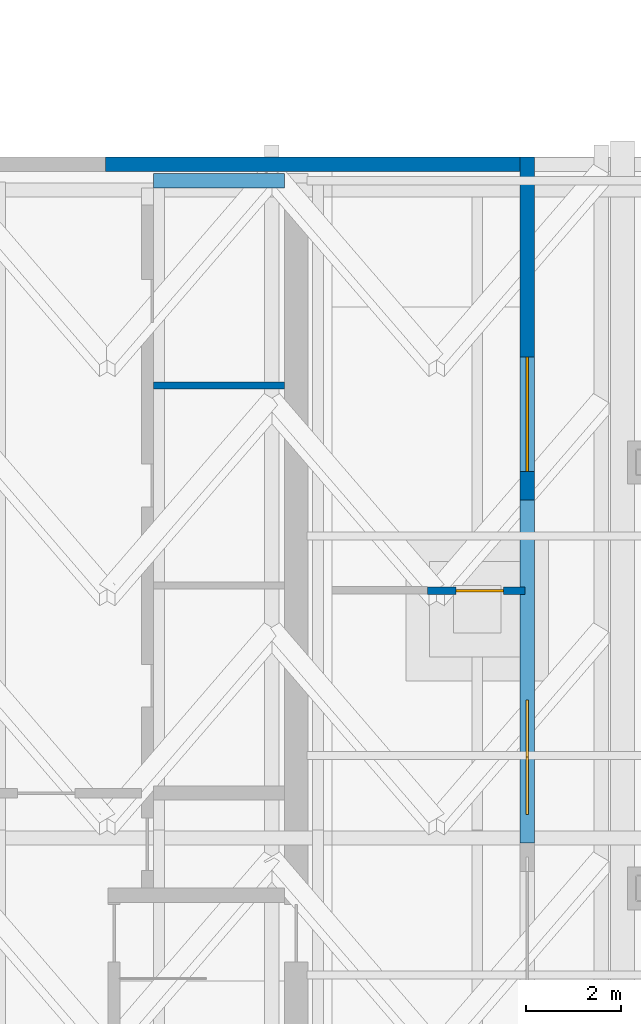
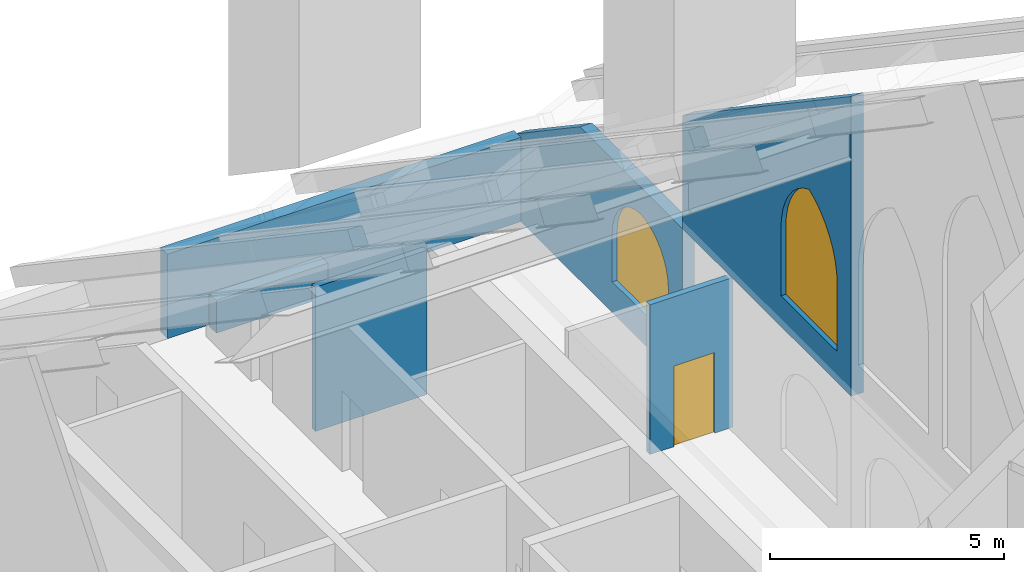
# One storey, part 8 of 9: 6 walls, 2 windows, 1 door, 3 openings.
"""IFC4 building model written with IfcOpenShell, lengths in metres."""

import ifcopenshell
import ifcopenshell.guid

model = None  # the IFC model being written
_history = None  # IfcOwnerHistory: only IFC2X3 demands one
_inside = {}  # id of a spatial element -> (the spatial element, [elements in it])
_under = {}  # id of a project, library or spatial element -> (it, [spatial elements below it])
_declared = {}  # id of a project -> (the project, [libraries it declares])
_typed = {}  # id of a type object -> (the type object, [elements of that type])
_made_of = {}  # id of a material, layer set ... -> (it, [elements and type objects made of it])


def new_model(schema):
    """Start an empty IFC model of exactly this schema.

    Asked for "IFC4X3", IfcOpenShell would pick the latest addendum, in which some entities
    have other attributes; the version numbers below select the first issue.
    IFC2X3 requires an IfcOwnerHistory on every rooted entity: one is made here for all.
    """
    global model, _history
    if schema == "IFC4X3":
        model = ifcopenshell.file(schema_version=(4, 3, 0, 0))
    else:
        model = ifcopenshell.file(schema=schema)
    _inside.clear()
    _under.clear()
    _declared.clear()
    _typed.clear()
    _made_of.clear()
    _history = None
    if model.schema == "IFC2X3":
        org = make("IfcOrganization", Name="unknown")
        user = make(
            "IfcPersonAndOrganization",
            ThePerson=make("IfcPerson", FamilyName="unknown"),
            TheOrganization=org,
        )
        app = make(
            "IfcApplication",
            ApplicationDeveloper=org,
            Version="unknown",
            ApplicationFullName="unknown",
            ApplicationIdentifier="unknown",
        )
        _history = make(
            "IfcOwnerHistory",
            OwningUser=user,
            OwningApplication=app,
            ChangeAction="ADDED",
            CreationDate=0,
        )
    return model


def make(cls, **values):
    """One entity of the class cls with the attributes given. An attribute that is None is left unset."""
    return model.create_entity(
        cls, **{name: value for name, value in values.items() if value is not None}
    )


def rooted(cls, **values):
    """An entity with a GlobalId (a new one), such as an element, a storey or a relation."""
    return make(cls, GlobalId=ifcopenshell.guid.new(), OwnerHistory=_history, **values)


def si_unit(unit_type, name, prefix=None):
    """IfcSIUnit, for example si_unit("LENGTHUNIT", "METRE", prefix="MILLI")."""
    return make("IfcSIUnit", UnitType=unit_type, Prefix=prefix, Name=name)


def assignment(units):
    """IfcUnitAssignment: the units of a project."""
    return None if units is None else make("IfcUnitAssignment", Units=units)


def point(xyz):
    """IfcCartesianPoint."""
    return None if xyz is None else make("IfcCartesianPoint", Coordinates=xyz)


def direction(xyz):
    """IfcDirection."""
    return None if xyz is None else make("IfcDirection", DirectionRatios=xyz)


def frame(location, z_axis=None, x_axis=None):
    """IfcAxis2Placement3D, a coordinate frame: its origin and axes. An axis left out is left unset."""
    return make(
        "IfcAxis2Placement3D",
        Location=point(location),
        Axis=direction(z_axis),
        RefDirection=direction(x_axis),
    )


def frame_2d(location, x_axis=None):
    """IfcAxis2Placement2D, a coordinate frame in the plane: its origin and x axis."""
    return make(
        "IfcAxis2Placement2D", Location=point(location), RefDirection=direction(x_axis)
    )


def origin():
    """The frame at (0, 0, 0) with its axes left unset."""
    return frame((0.0, 0.0, 0.0))


def place(relative_to, where):
    """IfcLocalPlacement: puts the frame where relative to a parent placement (None: the world)."""
    return make(
        "IfcLocalPlacement", PlacementRelTo=relative_to, RelativePlacement=where
    )


def context(
    kind, dimensions, precision=None, world=None, true_north=None, identifier=None
):
    """IfcGeometricRepresentationContext, for example the 3D "Model" context."""
    return make(
        "IfcGeometricRepresentationContext",
        ContextIdentifier=identifier,
        ContextType=kind,
        CoordinateSpaceDimension=dimensions,
        Precision=precision,
        WorldCoordinateSystem=world,
        TrueNorth=true_north,
    )


def subcontext(parent, identifier, kind, view, scale=None):
    """IfcGeometricRepresentationSubContext, for example "Body" below "Model"."""
    return make(
        "IfcGeometricRepresentationSubContext",
        ContextIdentifier=identifier,
        ContextType=kind,
        ParentContext=parent,
        TargetScale=scale,
        TargetView=view,
    )


def project(units=None, contexts=None):
    """IfcProject with its units and contexts."""
    return rooted(
        "IfcProject",
        Name="project",
        RepresentationContexts=contexts,
        UnitsInContext=assignment(units),
    )


def spatial(cls, under=None, at=None, **own):
    """A site, building, storey or space (cls), placed at a placement, below another one or the project."""
    s = rooted(cls, ObjectPlacement=at, **own)
    if under is not None:
        _under.setdefault(under.id(), (under, []))[1].append(s)
    return s


def polyline(points):
    """IfcPolyline through the points."""
    return make("IfcPolyline", Points=[point(p) for p in points])


def profile(cls, at=None, kind="AREA", **sizes):
    """A parametric profile (cls). Its sizes go by their IFC names, for example OverallWidth=200.0."""
    return make(cls, ProfileType=kind, Position=at, **sizes)


def rectangle(**sizes):
    """IfcRectangleProfileDef."""
    return profile("IfcRectangleProfileDef", **sizes)


def outline(outer, holes=None, kind="AREA"):
    """IfcArbitraryClosedProfileDef: a profile drawn as a closed curve; with holes, ...WithVoids."""
    if holes is None:
        return make("IfcArbitraryClosedProfileDef", ProfileType=kind, OuterCurve=outer)
    return make(
        "IfcArbitraryProfileDefWithVoids",
        ProfileType=kind,
        OuterCurve=outer,
        InnerCurves=holes,
    )


def extrude(swept, where, along, depth):
    """IfcExtrudedAreaSolid: the profile swept, set in the frame where, extruded along a direction by depth."""
    return make(
        "IfcExtrudedAreaSolid",
        SweptArea=swept,
        Position=where,
        ExtrudedDirection=direction(along),
        Depth=depth,
    )


def shape(context_of_items, identifier, shape_type, items):
    """IfcShapeRepresentation: the items that make up one representation, for example the "Body"."""
    return make(
        "IfcShapeRepresentation",
        ContextOfItems=context_of_items,
        RepresentationIdentifier=identifier,
        RepresentationType=shape_type,
        Items=items,
    )


def material(Name=None, Category=None):
    """IfcMaterial."""
    return make("IfcMaterial", Name=Name, Category=Category)


def layer(
    of_material, thickness, ventilated=None, Name=None, Category=None, Priority=None
):
    """IfcMaterialLayer: one layer of a wall or slab, of a material (None: an air gap)."""
    return make(
        "IfcMaterialLayer",
        Material=of_material,
        LayerThickness=thickness,
        IsVentilated=ventilated,
        Name=Name,
        Category=Category,
        Priority=Priority,
    )


def layer_set(layers, Name=None):
    """IfcMaterialLayerSet."""
    return make("IfcMaterialLayerSet", MaterialLayers=layers, LayerSetName=Name)


def made_of(thing, what):
    """Note that an element or type object is made of a material, layer set ...; save() writes the relation."""
    if what is not None:
        _made_of.setdefault(what.id(), (what, []))[1].append(thing)
    return thing


def type_object(cls, material=None, **own):
    """A type object (cls), such as IfcWallType, which elements share."""
    return made_of(rooted(cls, **own), material)


def element(
    cls,
    number,
    at=None,
    inside=None,
    cuts=None,
    type_object=None,
    material=None,
    context=None,
    identifier="Body",
    shape_type=None,
    held_by="IfcProductDefinitionShape",
    body=None,
    shapes=None,
    **own,
):
    """One element of the class cls, such as IfcWall. Its Tag is "e" and its number.

    at: its placement. inside: the storey or other place that contains it. cuts: it is an
    opening in that element (IfcRelVoidsElement). A single representation is given by context,
    identifier, shape_type and body (its items); several are given by shapes. held_by: the class
    of the entity that holds the representations. save() writes the other relations.
    """
    e = rooted(cls, Tag="e%d" % number, ObjectPlacement=at, **own)
    if body is not None:
        shapes = [shape(context, identifier, shape_type, body)]
    if shapes is not None:
        e.Representation = make(held_by, Representations=shapes)
    if inside is not None:
        _inside.setdefault(inside.id(), (inside, []))[1].append(e)
    if cuts is not None:
        rooted(
            "IfcRelVoidsElement", RelatingBuildingElement=cuts, RelatedOpeningElement=e
        )
    if type_object is not None:
        _typed.setdefault(type_object.id(), (type_object, []))[1].append(e)
    return made_of(e, material)


def fill(opening, filler):
    """IfcRelFillsElement: the door or window that sits in an opening."""
    return rooted(
        "IfcRelFillsElement",
        RelatingOpeningElement=opening,
        RelatedBuildingElement=filler,
    )


def aggregate(whole, parts):
    """IfcRelAggregates: a whole, such as a stair, and the parts it consists of."""
    return rooted("IfcRelAggregates", RelatingObject=whole, RelatedObjects=parts)


def save(model, path):
    """Write the relations noted so far, then the file.

    IfcRelAggregates (storeys below a building ...), IfcRelContainedInSpatialStructure (elements
    in a storey), IfcRelDefinesByType, IfcRelAssociatesMaterial and IfcRelDeclares: one each for
    every whole, place, type object, material and project.
    """
    for whole, parts in _under.values():
        aggregate(whole, parts)
    for where, things in _inside.values():
        rooted(
            "IfcRelContainedInSpatialStructure",
            RelatedElements=things,
            RelatingStructure=where,
        )
    for kind, things in _typed.values():
        rooted("IfcRelDefinesByType", RelatedObjects=things, RelatingType=kind)
    for what, things in _made_of.values():
        rooted("IfcRelAssociatesMaterial", RelatedObjects=things, RelatingMaterial=what)
    for by, libraries in _declared.values():
        rooted("IfcRelDeclares", RelatingContext=by, RelatedDefinitions=libraries)
    model.write(path)


model = new_model("IFC4")

# Units and contexts
model_context = context("Model", 3, precision=1e-05, world=origin(), true_north=direction((0.0, 1.0)))
body_context = subcontext(model_context, "Body", "Model", "MODEL_VIEW")
ifc_project = project(units=[si_unit("LENGTHUNIT", "METRE"), si_unit("AREAUNIT", "SQUARE_METRE"), si_unit("VOLUMEUNIT", "CUBIC_METRE"), si_unit("PLANEANGLEUNIT", "RADIAN"), si_unit("MASSUNIT", "GRAM", prefix="KILO")], contexts=[model_context])

# Site, building, storey
site_placement = place(None, origin())
site = spatial("IfcSite", under=ifc_project, at=site_placement, CompositionType="ELEMENT")
building_placement = place(site_placement, origin())
building = spatial("IfcBuilding", under=site, at=building_placement, Name="Ogive Exchange Tower", CompositionType="ELEMENT")
storey_placement = place(building_placement, frame((0.0, 0.0, 394.199951171875)))
storey = spatial("IfcBuildingStorey", under=building, at=storey_placement, Name="C07", CompositionType="ELEMENT", Elevation=394.199951171875)

# Walls
ifc_material_1 = material(Name="Gypsum board partition")
ifc_layer_1 = layer(ifc_material_1, 0.14990234375)
ifc_layer_set_1 = layer_set([ifc_layer_1], Name="Core room partition 150 gypsum")
wall_type_1 = type_object("IfcWallType", Name="Core room partition 150 gypsum", PredefinedType="PARTITIONING", material=ifc_layer_set_1)
wall_1_placement = place(storey_placement, frame((18.25, 14.699951171875, 0.0), z_axis=(0.0, 0.0, 1.0), x_axis=(1.0, 0.0, 0.0)))
element("IfcWall", 1, at=wall_1_placement, inside=storey, type_object=wall_type_1, Name="E row A bay partition 1-2", PredefinedType="PARTITIONING", context=body_context, shape_type="SweptSolid", body=[
    extrude(outline(polyline([(0.0, 0.0), (2.75, 0.0), (2.75, 3.758056640625), (0.0, 3.758056640625), (0.0, 0.0)])), frame((0.0, 0.074951171875, 0.0), z_axis=(0.0, -1.0, 0.0), x_axis=(1.0, 0.0, 0.0)), (0.0, 0.0, 1.0), 0.14990234375),
])
ifc_layer_2 = layer(ifc_material_1, 0.300048828125)
ifc_layer_set_2 = layer_set([ifc_layer_2], Name="Core room partition 300 gypsum")
wall_type_2 = type_object("IfcWallType", Name="Core room partition 300 gypsum", PredefinedType="PARTITIONING", material=ifc_layer_set_2)
wall_2_placement = place(storey_placement, frame((18.25, 19.0, 0.0), z_axis=(0.0, 0.0, 1.0), x_axis=(1.0, 0.0, 0.0)))
element("IfcWall", 2, at=wall_2_placement, inside=storey, type_object=wall_type_2, Name="E row A room end wall 7", PredefinedType="PARTITIONING", context=body_context, shape_type="SweptSolid", body=[
    extrude(outline(polyline([(0.0, 0.0), (2.75, 0.0), (2.75, 0.857666015625), (0.0, 0.857666015625), (0.0, 0.0)])), frame((0.0, 0.14990234375, 0.0), z_axis=(0.0, -1.0, 0.0), x_axis=(1.0, 0.0, 0.0)), (0.0, 0.0, 1.0), 0.300048828125),
])

# Wall, opening, door
ifc_material_2 = material(Name="Fire partition EI 60 150")
ifc_layer_3 = layer(ifc_material_2, 0.14990234375)
ifc_layer_set_3 = layer_set([ifc_layer_3], Name="Fire partition EI 60 150")
wall_type_3 = type_object("IfcWallType", Name="Fire partition EI 60 150", PredefinedType="PARTITIONING", material=ifc_layer_set_3)
wall_3_placement = place(storey_placement, frame((24.0, 10.389892578125, 0.0), z_axis=(0.0, 0.0, 1.0), x_axis=(1.0, 0.0, 0.0)))
wall_3 = element("IfcWall", 3, at=wall_3_placement, inside=storey, type_object=wall_type_3, Name="C07-PWL-004", PredefinedType="PARTITIONING", context=body_context, shape_type="SweptSolid", body=[
    extrude(rectangle(XDim=2.050048828125, YDim=0.14990234375, at=frame_2d((1.02490234375, 0.0))), origin(), (0.0, 0.0, 1.0), 3.900146484375),
])
opening_1_placement = place(wall_3_placement, frame((0.60009765625, 0.0, 0.0)))
opening_1 = element("IfcOpeningElement", 4, at=opening_1_placement, cuts=wall_3, Name="Opening C07-I02", PredefinedType="OPENING", context=body_context, shape_type="SweptSolid", body=[
    extrude(rectangle(XDim=1.0, YDim=2.10009765625, at=frame_2d((0.5, 1.050048828125))), frame((0.0, 0.0849609375, 0.0), z_axis=(0.0, -1.0, 0.0), x_axis=(1.0, 0.0, 0.0)), (0.0, 0.0, 1.0), 0.169921875),
])
ifc_material_3 = material(Name="Fire door FD 30S 1000 x 2100")
door_type = type_object("IfcDoorType", Name="Fire door FD 30S 1000 x 2100", OperationType="NOTDEFINED", PredefinedType="DOOR", material=ifc_material_3)
door_placement = place(opening_1_placement, origin())
door = element("IfcDoor", 5, at=door_placement, inside=storey, type_object=door_type, Name="C07-IDR-002", ObjectType="DT3", OperationType="SINGLE_SWING_LEFT", OverallHeight=2.10009765625, OverallWidth=1.0, PredefinedType="DOOR", context=body_context, shape_type="SweptSolid", body=[
    extrude(rectangle(XDim=1.0, YDim=2.10009765625, at=frame_2d((0.5, 1.050048828125))), frame((0.0, 0.02490234375, 0.0), z_axis=(0.0, -1.0, 0.0), x_axis=(1.0, 0.0, 0.0)), (0.0, 0.0, 1.0), 0.050048828125),
])
fill(opening_1, door)

# Wall, opening, window
ifc_material_4 = material(Name="Precast concrete C40/50", Category="concrete")
ifc_layer_4 = layer(ifc_material_4, 0.300048828125)
ifc_layer_set_4 = layer_set([ifc_layer_4], Name="Zinc-clad crown wall 300")
wall_type_4 = type_object("IfcWallType", Name="Zinc-clad crown wall 300", PredefinedType="STANDARD", material=ifc_layer_set_4)
wall_4_placement = place(storey_placement, frame((26.10009765625, 5.097900390625, 4.0), z_axis=(0.0, 0.0, 1.0), x_axis=(0.0, 1.0, 0.0)))
wall_4 = element("IfcWall", 6, at=wall_4_placement, inside=storey, type_object=wall_type_4, Name="Crown clerestory wall 14", PredefinedType="STANDARD", context=body_context, shape_type="SweptSolid", body=[
    extrude(outline(polyline([(0.0, 0.0), (7.1982421875, 0.0), (7.197998046875, 2.95361328125), (0.0, 7.808837890625), (0.0, 0.0)])), frame((0.0, 0.14990234375, 0.0), z_axis=(0.0, -1.0, 0.0), x_axis=(1.0, 0.0, 0.0)), (0.0, 0.0, 1.0), 0.300048828125),
])
opening_2_placement = place(wall_4_placement, frame((0.599609375, 0.0, 0.800048828125)))
opening_2 = element("IfcOpeningElement", 7, at=opening_2_placement, cuts=wall_4, Name="Opening WC35", PredefinedType="OPENING", context=body_context, shape_type="SweptSolid", body=[
    extrude(outline(polyline([(0.0, 0.0), (2.39990234375, 0.0), (2.39990234375, 1.75), (2.378662109375, 2.03076171875), (2.31591796875, 2.305419921875), (2.21240234375, 2.5673828125), (2.071044921875, 2.81103515625), (1.894775390625, 3.030517578125), (1.687744140625, 3.221435546875), (1.454345703125, 3.379150390625), (1.199951171875, 3.5), (0.945556640625, 3.379150390625), (0.712158203125, 3.221435546875), (0.505126953125, 3.030517578125), (0.328857421875, 2.81103515625), (0.1875, 2.5673828125), (0.083984375, 2.305419921875), (0.021240234375, 2.03076171875), (0.0, 1.75), (0.0, 0.0)])), frame((0.0, 0.159912109375, 0.0), z_axis=(0.0, -1.0, 0.0), x_axis=(1.0, 0.0, 0.0)), (0.0, 0.0, 1.0), 0.320068359375),
])
ifc_material_5 = material(Name="Clear glass in bronze frame", Category="glass")
window_type_1 = type_object("IfcWindowType", Name="Crown lancet window 2400 x 3500", PartitioningType="DOUBLE_PANEL_VERTICAL", PredefinedType="WINDOW", material=ifc_material_5)
window_1_placement = place(opening_2_placement, origin())
window_1 = element("IfcWindow", 8, at=window_1_placement, inside=storey, type_object=window_type_1, Name="Crown lancet 14.1", OverallHeight=3.5, OverallWidth=2.39990234375, PartitioningType="DOUBLE_PANEL_VERTICAL", PredefinedType="WINDOW", context=body_context, shape_type="SweptSolid", body=[
    extrude(outline(polyline([(0.0, 0.0), (2.39990234375, 0.0), (2.39990234375, 1.75), (2.378662109375, 2.03076171875), (2.31591796875, 2.305419921875), (2.21240234375, 2.5673828125), (2.071044921875, 2.81103515625), (1.894775390625, 3.030517578125), (1.687744140625, 3.221435546875), (1.454345703125, 3.379150390625), (1.199951171875, 3.5), (0.945556640625, 3.379150390625), (0.712158203125, 3.221435546875), (0.505126953125, 3.030517578125), (0.328857421875, 2.81103515625), (0.1875, 2.5673828125), (0.083984375, 2.305419921875), (0.021240234375, 2.03076171875), (0.0, 1.75), (0.0, 0.0)])), frame((0.0, 0.030029296875, 0.0), z_axis=(0.0, -1.0, 0.0), x_axis=(1.0, 0.0, 0.0)), (0.0, 0.0, 1.0), 0.06005859375),
])
fill(opening_2, window_1)

wall_5_placement = place(storey_placement, frame((26.10009765625, 12.296142578125, 0.0), z_axis=(0.0, 0.0, 1.0), x_axis=(0.0, 1.0, 0.0)))
wall_5 = element("IfcWall", 9, at=wall_5_placement, inside=storey, type_object=wall_type_4, Name="Crown wall 15", PredefinedType="STANDARD", context=body_context, shape_type="SweptSolid", body=[
    extrude(outline(polyline([(0.0, 0.0), (7.197998046875, 0.0), (7.197998046875, 2.098388671875), (4.37890625, 4.0), (0.0, 4.0), (0.0, 0.0)])), frame((0.0, 0.14990234375, 0.0), z_axis=(0.0, -1.0, 0.0), x_axis=(1.0, 0.0, 0.0)), (0.0, 0.0, 1.0), 0.300048828125),
])
opening_3_placement = place(wall_5_placement, frame((0.599609375, 0.0, 0.800048828125)))
opening_3 = element("IfcOpeningElement", 10, at=opening_3_placement, cuts=wall_5, Name="Opening WC25", PredefinedType="OPENING", context=body_context, shape_type="SweptSolid", body=[
    extrude(outline(polyline([(0.0, 0.0), (2.39990234375, 0.0), (2.39990234375, 1.25), (2.377197265625, 1.48779296875), (2.3095703125, 1.717041015625), (2.19970703125, 1.928955078125), (2.05126953125, 2.116455078125), (1.8701171875, 2.272216796875), (1.662841796875, 2.390625), (1.4365234375, 2.467529296875), (1.199951171875, 2.5), (0.96337890625, 2.467529296875), (0.737060546875, 2.390625), (0.52978515625, 2.272216796875), (0.3486328125, 2.116455078125), (0.2001953125, 1.928955078125), (0.09033203125, 1.717041015625), (0.022705078125, 1.48779296875), (0.0, 1.25), (0.0, 0.0)])), frame((0.0, 0.159912109375, 0.0), z_axis=(0.0, -1.0, 0.0), x_axis=(1.0, 0.0, 0.0)), (0.0, 0.0, 1.0), 0.320068359375),
])
window_type_2 = type_object("IfcWindowType", Name="Crown lancet window 2400 x 2500", PartitioningType="DOUBLE_PANEL_VERTICAL", PredefinedType="WINDOW", material=ifc_material_5)
window_2_placement = place(opening_3_placement, origin())
window_2 = element("IfcWindow", 11, at=window_2_placement, inside=storey, type_object=window_type_2, Name="Crown lancet 15.1", OverallHeight=2.5, OverallWidth=2.39990234375, PartitioningType="DOUBLE_PANEL_VERTICAL", PredefinedType="WINDOW", context=body_context, shape_type="SweptSolid", body=[
    extrude(outline(polyline([(0.0, 0.0), (2.39990234375, 0.0), (2.39990234375, 1.25), (2.377197265625, 1.48779296875), (2.3095703125, 1.717041015625), (2.19970703125, 1.928955078125), (2.05126953125, 2.116455078125), (1.8701171875, 2.272216796875), (1.662841796875, 2.390625), (1.4365234375, 2.467529296875), (1.199951171875, 2.5), (0.96337890625, 2.467529296875), (0.737060546875, 2.390625), (0.52978515625, 2.272216796875), (0.3486328125, 2.116455078125), (0.2001953125, 1.928955078125), (0.09033203125, 1.717041015625), (0.022705078125, 1.48779296875), (0.0, 1.25), (0.0, 0.0)])), frame((0.0, 0.030029296875, 0.0), z_axis=(0.0, -1.0, 0.0), x_axis=(1.0, 0.0, 0.0)), (0.0, 0.0, 1.0), 0.06005859375),
])
fill(opening_3, window_2)

# Wall
wall_6_placement = place(storey_placement, frame((25.949951171875, 19.343994140625, 0.0), z_axis=(0.0, 0.0, 1.0), x_axis=(-1.0, 0.0, 0.0)))
element("IfcWall", 12, at=wall_6_placement, inside=storey, type_object=wall_type_4, Name="Crown wall 16", PredefinedType="STANDARD", context=body_context, shape_type="SweptSolid", body=[
    extrude(rectangle(XDim=8.699951171875, YDim=0.300048828125, at=frame_2d((4.35009765625, 0.0))), origin(), (0.0, 0.0, 1.0), 2.19970703125),
])

save(model, "model.ifc")
